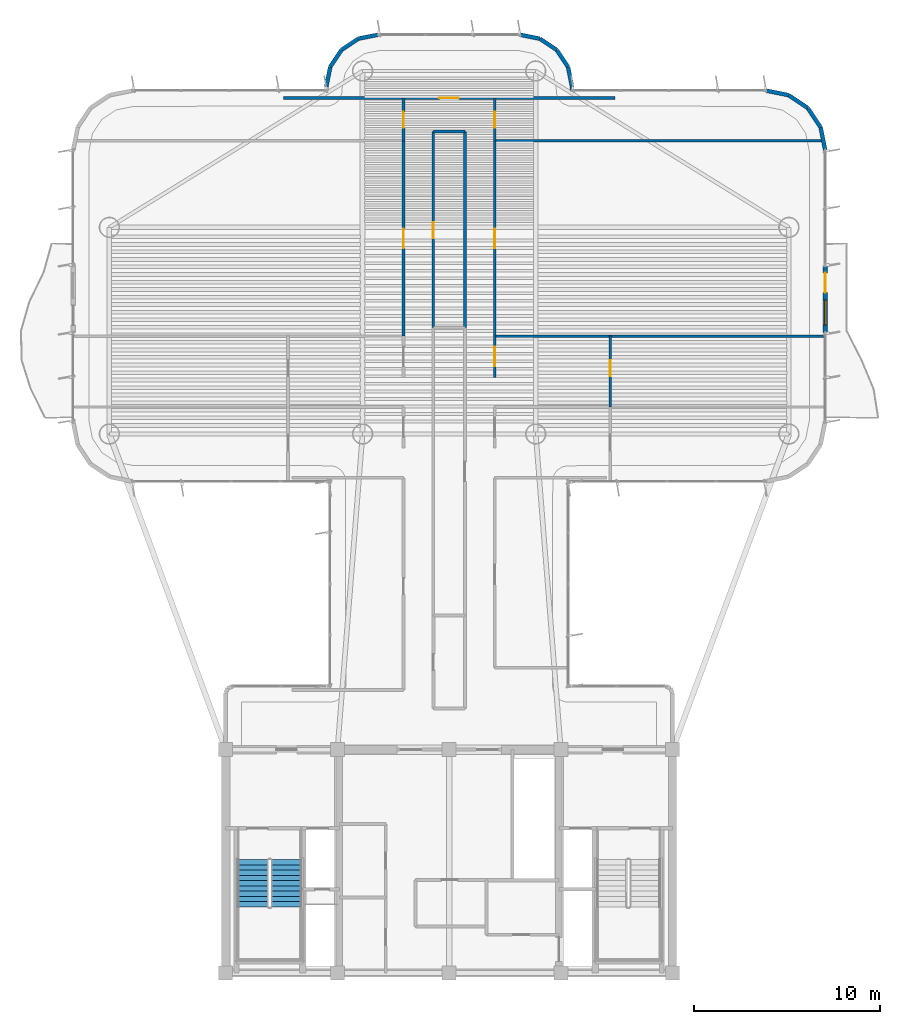
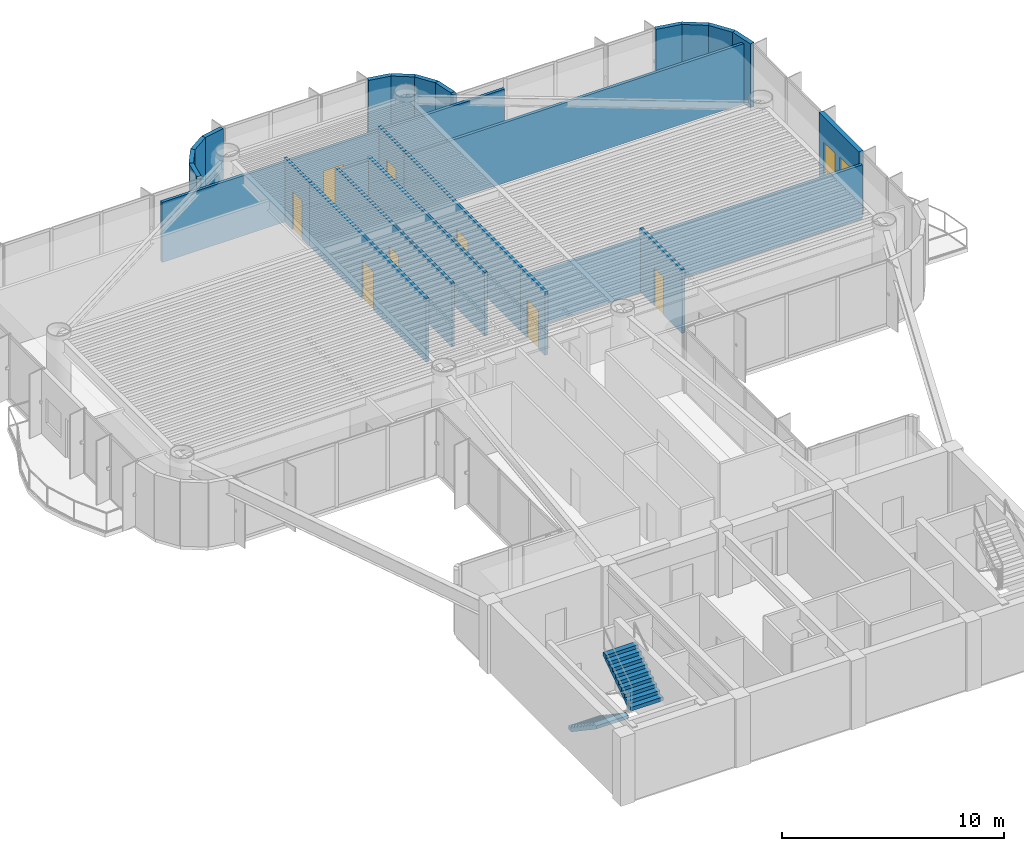
# One storey, part 11 of 14: 26 walls, 9 doors, 2 stair flights, 1 window, 10 openings, 1 element without a shape of its own.
"""IFC4 building model written with IfcOpenShell, lengths in metres."""

from ifc_helpers import new_model, si_unit, direction, frame, frame_2d, origin, origin_2d, place, context, subcontext, project, spatial, polyline, rectangle, outline, extrude, source, transform, mapped, material, layer, layer_set, type_object, element, fill, aggregate, save


model = new_model("IFC4")

# Units and contexts
model_context = context("Model", 3, precision=1e-05, world=origin(), true_north=direction((0.0, 1.0)))
body_context = subcontext(model_context, "Body", "Model", "MODEL_VIEW")
ifc_project = project(units=[si_unit("LENGTHUNIT", "METRE"), si_unit("AREAUNIT", "SQUARE_METRE"), si_unit("VOLUMEUNIT", "CUBIC_METRE"), si_unit("PLANEANGLEUNIT", "RADIAN"), si_unit("MASSUNIT", "GRAM", prefix="KILO")], contexts=[model_context])

# Site, building, storey
site_placement = place(None, origin())
site = spatial("IfcSite", under=ifc_project, at=site_placement, CompositionType="ELEMENT")
building_placement = place(site_placement, origin())
building = spatial("IfcBuilding", under=site, at=building_placement, Name="Brelvock Crest Care Tower", CompositionType="ELEMENT")
storey_placement = place(building_placement, frame((0.0, 0.0, 182.8798828125)))
storey = spatial("IfcBuildingStorey", under=building, at=storey_placement, Name="L46", CompositionType="ELEMENT", Elevation=182.8798828125)

# Wall, openings, door, window
ifc_material_1 = material(Name="Precast concrete N40 (40 MPa)", Category="concrete")
ifc_layer_1 = layer(ifc_material_1, 0.239990234375, Name="WL-EX1")
ifc_layer_set_1 = layer_set([ifc_layer_1], Name="Precast concrete N40 (40 MPa)")
wall_type_1 = type_object("IfcWallType", Name="WL-EX1", PredefinedType="SOLIDWALL", material=ifc_layer_set_1)
wall_1_placement = place(storey_placement, frame((56.199951171875, 44.0, 0.0), z_axis=(0.0, 0.0, 1.0), x_axis=(0.0, -1.0, 0.0)))
wall_1 = element("IfcWall", 1, at=wall_1_placement, inside=storey, type_object=wall_type_1, Name="L46 Exterior Spandrel Wall WL-BAL-L46-E", PredefinedType="SOLIDWALL", context=body_context, shape_type="SweptSolid", body=[
    extrude(rectangle(XDim=3.60009765625, YDim=0.239990234375, at=frame_2d((1.800048828125, 0.0))), origin(), (0.0, 0.0, 1.0), 3.530029296875),
])
opening_1_placement = place(wall_1_placement, frame((0.39990234375, 0.0, 0.0)))
opening_1 = element("IfcOpeningElement", 2, at=opening_1_placement, cuts=wall_1, Name="Opening BD-1", PredefinedType="OPENING", context=body_context, shape_type="SweptSolid", body=[
    extrude(rectangle(XDim=1.050048828125, YDim=2.14990234375, at=origin_2d()), frame((0.52490234375, 0.1298828125, 1.074951171875), z_axis=(0.0, -1.0, 0.0), x_axis=(1.0, 0.0, 0.0)), (0.0, 0.0, 1.0), 0.260009765625),
])
opening_2_placement = place(wall_1_placement, frame((1.85009765625, 0.0, 0.85009765625)))
opening_2 = element("IfcOpeningElement", 3, at=opening_2_placement, cuts=wall_1, Name="Opening W-01", PredefinedType="OPENING", context=body_context, shape_type="SweptSolid", body=[
    extrude(rectangle(XDim=1.35009765625, YDim=1.35009765625, at=origin_2d()), frame((0.675048828125, 0.1298828125, 0.675048828125), z_axis=(0.0, -1.0, 0.0), x_axis=(1.0, 0.0, 0.0)), (0.0, 0.0, 1.0), 0.260009765625),
])
ifc_material_2 = material(Name="Dark Glass Double Glazed Low-E", Category="glass")
door_type_1 = type_object("IfcDoorType", Name="DR-BAL1", OperationType="NOTDEFINED", PredefinedType="DOOR", material=ifc_material_2)
shared_shape_1 = source(origin(), body_context, "Body", "SweptSolid", [
    extrude(rectangle(XDim=1.050048828125, YDim=2.14990234375, at=origin_2d()), frame((0.52490234375, 0.02490234375, 1.074951171875), z_axis=(0.0, -1.0, 0.0), x_axis=(1.0, 0.0, 0.0)), (0.0, 0.0, 1.0), 0.050048828125),
])
door_1_placement = place(opening_1_placement, origin())
door_1 = element("IfcDoor", 4, at=door_1_placement, inside=storey, type_object=door_type_1, Name="L46 E Wave Balcony Glazed Door", OperationType="SINGLE_SWING_RIGHT", OverallHeight=2.14990234375, OverallWidth=1.050048828125, PredefinedType="DOOR", context=body_context, shape_type="MappedRepresentation", body=[
    mapped(shared_shape_1, transform((0.0, 0.0, 0.0), x_axis=(1.0, 0.0, 0.0), y_axis=(0.0, 1.0, 0.0), z_axis=(0.0, 0.0, 1.0), scale=1.0)),
])
fill(opening_1, door_1)
window_type = type_object("IfcWindowType", Name="WN-EX1", PartitioningType="SINGLE_PANEL", PredefinedType="WINDOW", material=ifc_material_2)
shared_shape_2 = source(origin(), body_context, "Body", "SweptSolid", [
    extrude(rectangle(XDim=1.35009765625, YDim=1.35009765625, at=origin_2d()), frame((0.675048828125, 0.030029296875, 0.675048828125), z_axis=(0.0, -1.0, 0.0), x_axis=(1.0, 0.0, 0.0)), (0.0, 0.0, 1.0), 0.06005859375),
])
window_placement = place(opening_2_placement, origin())
window = element("IfcWindow", 5, at=window_placement, inside=storey, type_object=window_type, Name="L46 E Suite Casement Window", OverallHeight=1.35009765625, OverallWidth=1.35009765625, PartitioningType="SINGLE_PANEL", PredefinedType="WINDOW", context=body_context, shape_type="MappedRepresentation", body=[
    mapped(shared_shape_2, transform((0.0, 0.0, 0.0), x_axis=(1.0, 0.0, 0.0), y_axis=(0.0, 1.0, 0.0), z_axis=(0.0, 0.0, 1.0), scale=1.0)),
])
fill(opening_2, window)

# Walls
ifc_layer_2 = layer(ifc_material_1, 0.215087890625, Name="WL-EX2")
ifc_layer_set_2 = layer_set([ifc_layer_2], Name="Precast concrete N40 (40 MPa)")
wall_type_2 = type_object("IfcWallType", Name="WL-EX2", PredefinedType="SOLIDWALL", material=ifc_layer_set_2)
wall_2_placement = place(storey_placement, frame((29.39990234375, 53.60009765625, 0.0), z_axis=(0.0, 0.0, 1.0), x_axis=(0.195127417394, 0.980777900945, 0.0)))
element("IfcWall", 6, at=wall_2_placement, inside=storey, type_object=wall_type_2, Name="L46 Rounded Corner Wall 24", PredefinedType="SOLIDWALL", context=body_context, shape_type="SweptSolid", body=[
    extrude(rectangle(XDim=1.09228515625, YDim=0.215087890625, at=frame_2d((0.546142578125, 0.0))), origin(), (0.0, 0.0, 1.0), 3.530029296875),
])
wall_3_placement = place(storey_placement, frame((29.613037109375, 54.67138671875, 0.0), z_axis=(0.0, 0.0, 1.0), x_axis=(0.555679482341, 0.831396603857, 0.0)))
element("IfcWall", 7, at=wall_3_placement, inside=storey, type_object=wall_type_2, Name="L46 Rounded Corner Wall 25", PredefinedType="SOLIDWALL", context=body_context, shape_type="SweptSolid", body=[
    extrude(rectangle(XDim=1.0927734375, YDim=0.215087890625, at=frame_2d((0.54638671875, 0.0))), origin(), (0.0, 0.0, 1.0), 3.530029296875),
])
for number, where, z_axis, x_axis, name in (
    (8, (30.22021484375, 55.579833984375, 0.0), (0.0, 0.0, 1.0), (0.831327592857, 0.555782721353, 0.0), "L46 Rounded Corner Wall 26"),
    (9, (31.12841796875, 56.18701171875, 0.0), (0.0, 0.0, 1.0), (0.980829143587, 0.194869677195, 0.0), "L46 Rounded Corner Wall 27"),
    (10, (39.800048828125, 56.39990234375, 0.0), (0.0, 0.0, 1.0), (0.980829143587, -0.194869677195, 0.0), "L46 Rounded Corner Wall 29"),
    (11, (40.87158203125, 56.18701171875, 0.0), (0.0, 0.0, 1.0), (0.831327592857, -0.555782721353, 0.0), "L46 Rounded Corner Wall 30"),
):
    element("IfcWall", number, at=place(storey_placement, frame(where, z_axis=z_axis, x_axis=x_axis)), inside=storey, type_object=wall_type_2, Name=name, PredefinedType="SOLIDWALL", context=body_context, shape_type="SweptSolid", body=[
        extrude(rectangle(XDim=1.092529296875, YDim=0.215087890625, at=frame_2d((0.54638671875, 0.0))), origin(), (0.0, 0.0, 1.0), 3.530029296875),
    ])
wall_4_placement = place(storey_placement, frame((41.77978515625, 55.579833984375, 0.0), z_axis=(0.0, 0.0, 1.0), x_axis=(0.555679482341, -0.831396603857, 0.0)))
element("IfcWall", 12, at=wall_4_placement, inside=storey, type_object=wall_type_2, Name="L46 Rounded Corner Wall 31", PredefinedType="SOLIDWALL", context=body_context, shape_type="SweptSolid", body=[
    extrude(rectangle(XDim=1.0927734375, YDim=0.215087890625, at=frame_2d((0.54638671875, 0.0))), origin(), (0.0, 0.0, 1.0), 3.530029296875),
])
wall_5_placement = place(storey_placement, frame((42.386962890625, 54.67138671875, 0.0), z_axis=(0.0, 0.0, 1.0), x_axis=(0.195127417394, -0.980777900945, 0.0)))
element("IfcWall", 13, at=wall_5_placement, inside=storey, type_object=wall_type_2, Name="L46 Rounded Corner Wall 32", PredefinedType="SOLIDWALL", context=body_context, shape_type="SweptSolid", body=[
    extrude(rectangle(XDim=1.09228515625, YDim=0.215087890625, at=frame_2d((0.546142578125, 0.0))), origin(), (0.0, 0.0, 1.0), 3.530029296875),
])
wall_6_placement = place(storey_placement, frame((42.60009765625, 53.60009765625, 0.0), z_axis=(0.0, 0.0, 1.0), x_axis=(0.0, -1.0, 0.0)))
element("IfcWall", 14, at=wall_6_placement, inside=storey, type_object=wall_type_2, Name="L46 Rounded Corner Wall 33", PredefinedType="SOLIDWALL", context=body_context, shape_type="SweptSolid", body=[
    extrude(rectangle(XDim=0.2001953125, YDim=0.215087890625, at=frame_2d((0.10009765625, 0.0))), origin(), (0.0, 0.0, 1.0), 3.530029296875),
])
for number, where, z_axis, x_axis, name in (
    (15, (53.0, 53.39990234375, 0.0), (0.0, 0.0, 1.0), (0.980813122964, -0.194950295773, 0.0), "L46 Rounded Corner Wall 35"),
    (16, (54.224609375, 53.156494140625, 0.0), (0.0, 0.0, 1.0), (0.831387912822, -0.555692485475, 0.0), "L46 Rounded Corner Wall 36"),
    (17, (55.2626953125, 52.462646484375, 0.0), (0.0, 0.0, 1.0), (0.555557312883, -0.831478245117, 0.0), "L46 Rounded Corner Wall 37"),
    (18, (55.956298828125, 51.424560546875, 0.0), (0.0, 0.0, 1.0), (0.195138390419, -0.980775717779, 0.0), "L46 Rounded Corner Wall 38"),
):
    element("IfcWall", number, at=place(storey_placement, frame(where, z_axis=z_axis, x_axis=x_axis)), inside=storey, type_object=wall_type_2, Name=name, PredefinedType="SOLIDWALL", context=body_context, shape_type="SweptSolid", body=[
        extrude(rectangle(XDim=1.24853515625, YDim=0.215087890625, at=frame_2d((0.624267578125, 0.0))), origin(), (0.0, 0.0, 1.0), 3.530029296875),
    ])
ifc_material_3 = material(Name="Masonry Blockwork Acoustic Partition", Category="masonry")
ifc_layer_3 = layer(ifc_material_3, 0.14990234375, Name="WL-INT1")
ifc_layer_set_3 = layer_set([ifc_layer_3], Name="Masonry Blockwork Acoustic Partition")
wall_type_3 = type_object("IfcWallType", Name="WL-INT1", PredefinedType="PARTITIONING", material=ifc_layer_set_3)
wall_7_placement = place(storey_placement, frame((38.449951171875, 40.201904296875, 0.0), z_axis=(0.0, 0.0, 1.0), x_axis=(1.0, 0.0, 0.0)))
element("IfcWall", 19, at=wall_7_placement, inside=storey, type_object=wall_type_3, Name="L46 Interior Wall WL-BX-L46-ERC-S", PredefinedType="PARTITIONING", context=body_context, shape_type="SweptSolid", body=[
    extrude(rectangle(XDim=17.670166015625, YDim=0.14990234375, at=frame_2d((8.8349609375, 0.0))), origin(), (0.0, 0.0, 1.0), 2.982177734375),
])
wall_8_placement = place(storey_placement, frame((38.449951171875, 50.699951171875, 0.0), z_axis=(0.0, 0.0, 1.0), x_axis=(1.0, 0.0, 0.0)))
element("IfcWall", 20, at=wall_8_placement, inside=storey, type_object=wall_type_3, Name="L46 Interior Wall WL-BX-L46-ERC-N", PredefinedType="PARTITIONING", context=body_context, shape_type="SweptSolid", body=[
    extrude(rectangle(XDim=17.569091796875, YDim=0.14990234375, at=frame_2d((8.78466796875, 0.0))), origin(), (0.0, 0.0, 1.0), 3.30810546875),
])
wall_9_placement = place(storey_placement, frame((35.14990234375, 51.199951171875, 0.0), z_axis=(0.0, 0.0, 1.0), x_axis=(1.0, 0.0, 0.0)))
element("IfcWall", 21, at=wall_9_placement, inside=storey, type_object=wall_type_3, Name="L46 Interior Wall WL-BX-L46-ISKT-N", PredefinedType="PARTITIONING", context=body_context, shape_type="SweptSolid", body=[
    extrude(rectangle(XDim=1.7001953125, YDim=0.14990234375, at=frame_2d((0.85009765625, 0.0))), origin(), (0.0, 0.0, 1.0), 3.30810546875),
])

# Wall, opening, door
wall_10_placement = place(storey_placement, frame((27.10009765625, 53.0, 0.0), z_axis=(0.0, 0.0, 1.0), x_axis=(1.0, 0.0, 0.0)))
wall_10 = element("IfcWall", 22, at=wall_10_placement, inside=storey, type_object=wall_type_3, Name="L46 Interior Wall WL-RM-L46-NHUB", PredefinedType="PARTITIONING", context=body_context, shape_type="SweptSolid", body=[
    extrude(rectangle(XDim=17.7998046875, YDim=0.14990234375, at=frame_2d((8.89990234375, 0.0))), origin(), (0.0, 0.0, 1.0), 3.30810546875),
])
opening_3_placement = place(wall_10_placement, frame((8.375, 0.0, 0.0)))
opening_3 = element("IfcOpeningElement", 23, at=opening_3_placement, cuts=wall_10, Name="Opening CLD-1", PredefinedType="OPENING", context=body_context, shape_type="SweptSolid", body=[
    extrude(rectangle(XDim=1.050048828125, YDim=2.10009765625, at=origin_2d()), frame((0.52490234375, 0.0849609375, 1.050048828125), z_axis=(0.0, -1.0, 0.0), x_axis=(1.0, 0.0, 0.0)), (0.0, 0.0, 1.0), 0.169921875),
])
ifc_material_4 = material(Name="Engineered Hardwood Timber", Category="wood")
door_type_2 = type_object("IfcDoorType", Name="DR-CLN1", OperationType="NOTDEFINED", PredefinedType="DOOR", material=ifc_material_4)
shared_shape_3 = source(origin(), body_context, "Body", "SweptSolid", [
    extrude(rectangle(XDim=1.050048828125, YDim=2.10009765625, at=origin_2d()), frame((0.52490234375, 0.02490234375, 1.050048828125), z_axis=(0.0, -1.0, 0.0), x_axis=(1.0, 0.0, 0.0)), (0.0, 0.0, 1.0), 0.050048828125),
])
door_2_placement = place(opening_3_placement, origin())
door_2 = element("IfcDoor", 24, at=door_2_placement, inside=storey, type_object=door_type_2, Name="L46 North Crest Conservatory Lounge Door NHUB", OperationType="SINGLE_SWING_LEFT", OverallHeight=2.10009765625, OverallWidth=1.050048828125, PredefinedType="DOOR", context=body_context, shape_type="MappedRepresentation", body=[
    mapped(shared_shape_3, transform((0.0, 0.0, 0.0), x_axis=(1.0, 0.0, 0.0), y_axis=(0.0, 1.0, 0.0), z_axis=(0.0, 0.0, 1.0), scale=1.0)),
])
fill(opening_3, door_2)

wall_11_placement = place(storey_placement, frame((33.550048828125, 40.201904296875, 0.0), z_axis=(0.0, 0.0, 1.0), x_axis=(0.0, 1.0, 0.0)))
wall_11 = element("IfcWall", 25, at=wall_11_placement, inside=storey, type_object=wall_type_3, Name="L46 Interior Wall WL-RM-L46-WRC", PredefinedType="PARTITIONING", context=body_context, shape_type="SweptSolid", body=[
    extrude(rectangle(XDim=10.498046875, YDim=0.14990234375, at=frame_2d((5.2490234375, 0.0))), origin(), (0.0, 0.0, 1.0), 3.5),
])
opening_4_placement = place(wall_11_placement, frame((4.72412109375, 0.0, 0.0)))
opening_4 = element("IfcOpeningElement", 26, at=opening_4_placement, cuts=wall_11, Name="Opening CLD-1", PredefinedType="OPENING", context=body_context, shape_type="SweptSolid", body=[
    extrude(rectangle(XDim=1.050048828125, YDim=2.10009765625, at=origin_2d()), frame((0.52490234375, 0.0849609375, 1.050048828125), z_axis=(0.0, -1.0, 0.0), x_axis=(1.0, 0.0, 0.0)), (0.0, 0.0, 1.0), 0.169921875),
])
door_3_placement = place(opening_4_placement, origin())
door_3 = element("IfcDoor", 27, at=door_3_placement, inside=storey, type_object=door_type_2, Name="L46 Neurological Rehab Studio Door WRC", OperationType="SINGLE_SWING_LEFT", OverallHeight=2.10009765625, OverallWidth=1.050048828125, PredefinedType="DOOR", context=body_context, shape_type="MappedRepresentation", body=[
    mapped(shared_shape_3, transform((0.0, 0.0, 0.0), x_axis=(1.0, 0.0, 0.0), y_axis=(0.0, 1.0, 0.0), z_axis=(0.0, 0.0, 1.0), scale=1.0)),
])
fill(opening_4, door_3)

wall_12_placement = place(storey_placement, frame((33.550048828125, 50.699951171875, 0.0), z_axis=(0.0, 0.0, 1.0), x_axis=(0.0, 1.0, 0.0)))
wall_12 = element("IfcWall", 28, at=wall_12_placement, inside=storey, type_object=wall_type_3, Name="L46 Interior Wall WL-RM-L46-NALW", PredefinedType="PARTITIONING", context=body_context, shape_type="SweptSolid", body=[
    extrude(rectangle(XDim=2.300048828125, YDim=0.14990234375, at=frame_2d((1.14990234375, 0.0))), origin(), (0.0, 0.0, 1.0), 3.5),
])
opening_5_placement = place(wall_12_placement, frame((0.68994140625, 0.0, 0.0)))
opening_5 = element("IfcOpeningElement", 29, at=opening_5_placement, cuts=wall_12, Name="Opening ID-1", PredefinedType="OPENING", context=body_context, shape_type="SweptSolid", body=[
    extrude(rectangle(XDim=0.860107421875, YDim=2.10009765625, at=origin_2d()), frame((0.43017578125, 0.0849609375, 1.050048828125), z_axis=(0.0, -1.0, 0.0), x_axis=(1.0, 0.0, 0.0)), (0.0, 0.0, 1.0), 0.169921875),
])
door_type_3 = type_object("IfcDoorType", Name="DR-INT1", OperationType="NOTDEFINED", PredefinedType="DOOR", material=ifc_material_4)
shared_shape_4 = source(origin(), body_context, "Body", "SweptSolid", [
    extrude(rectangle(XDim=0.860107421875, YDim=2.10009765625, at=origin_2d()), frame((0.43017578125, 0.02490234375, 1.050048828125), z_axis=(0.0, -1.0, 0.0), x_axis=(1.0, 0.0, 0.0)), (0.0, 0.0, 1.0), 0.050048828125),
])
door_4_placement = place(opening_5_placement, origin())
door_4 = element("IfcDoor", 30, at=door_4_placement, inside=storey, type_object=door_type_3, Name="L46 North West Sun Alcove Door NALW", OperationType="SINGLE_SWING_LEFT", OverallHeight=2.10009765625, OverallWidth=0.860107421875, PredefinedType="DOOR", context=body_context, shape_type="MappedRepresentation", body=[
    mapped(shared_shape_4, transform((0.0, 0.0, 0.0), x_axis=(1.0, 0.0, 0.0), y_axis=(0.0, 1.0, 0.0), z_axis=(0.0, 0.0, 1.0), scale=1.0)),
])
fill(opening_5, door_4)

wall_13_placement = place(storey_placement, frame((35.14990234375, 40.659912109375, 0.0), z_axis=(0.0, 0.0, 1.0), x_axis=(0.0, 1.0, 0.0)))
wall_13 = element("IfcWall", 31, at=wall_13_placement, inside=storey, type_object=wall_type_3, Name="L46 Interior Wall WL-RM-L46-ISKT", PredefinedType="PARTITIONING", context=body_context, shape_type="SweptSolid", body=[
    extrude(rectangle(XDim=10.5400390625, YDim=0.14990234375, at=frame_2d((5.27001953125, 0.0))), origin(), (0.0, 0.0, 1.0), 3.5),
])
opening_6_placement = place(wall_13_placement, frame((4.81005859375, 0.0, 0.0)))
opening_6 = element("IfcOpeningElement", 32, at=opening_6_placement, cuts=wall_13, Name="Opening ID-1", PredefinedType="OPENING", context=body_context, shape_type="SweptSolid", body=[
    extrude(rectangle(XDim=0.860107421875, YDim=2.10009765625, at=origin_2d()), frame((0.43017578125, 0.0849609375, 1.050048828125), z_axis=(0.0, -1.0, 0.0), x_axis=(1.0, 0.0, 0.0)), (0.0, 0.0, 1.0), 0.169921875),
])
door_5_placement = place(opening_6_placement, origin())
door_5 = element("IfcDoor", 33, at=door_5_placement, inside=storey, type_object=door_type_3, Name="L46 Communal Tea and Nutrition Pantry Door ISKT", OperationType="SINGLE_SWING_LEFT", OverallHeight=2.10009765625, OverallWidth=0.860107421875, PredefinedType="DOOR", context=body_context, shape_type="MappedRepresentation", body=[
    mapped(shared_shape_4, transform((0.0, 0.0, 0.0), x_axis=(1.0, 0.0, 0.0), y_axis=(0.0, 1.0, 0.0), z_axis=(0.0, 0.0, 1.0), scale=1.0)),
])
fill(opening_6, door_5)

# Wall
wall_14_placement = place(storey_placement, frame((36.85009765625, 40.659912109375, 0.0), z_axis=(0.0, 0.0, 1.0), x_axis=(0.0, 1.0, 0.0)))
element("IfcWall", 34, at=wall_14_placement, inside=storey, type_object=wall_type_3, Name="L46 Interior Wall WL-BX-L46-ISKT-E", PredefinedType="PARTITIONING", context=body_context, shape_type="SweptSolid", body=[
    extrude(rectangle(XDim=10.5400390625, YDim=0.14990234375, at=frame_2d((5.27001953125, 0.0))), origin(), (0.0, 0.0, 1.0), 3.5),
])

# Wall, opening, door
wall_15_placement = place(storey_placement, frame((38.449951171875, 37.9970703125, 0.0), z_axis=(0.0, 0.0, 1.0), x_axis=(0.0, 1.0, 0.0)))
wall_15 = element("IfcWall", 35, at=wall_15_placement, inside=storey, type_object=wall_type_3, Name="L46 Interior Wall WL-CENT-L46-ER1B", PredefinedType="PARTITIONING", context=body_context, shape_type="SweptSolid", body=[
    extrude(rectangle(XDim=2.204833984375, YDim=0.14990234375, at=frame_2d((1.1025390625, 0.0))), origin(), (0.0, 0.0, 1.0), 3.5),
])
opening_7_placement = place(wall_15_placement, frame((0.58203125, 0.0, 0.0)))
opening_7 = element("IfcOpeningElement", 36, at=opening_7_placement, cuts=wall_15, Name="Opening CD-1", PredefinedType="OPENING", context=body_context, shape_type="SweptSolid", body=[
    extrude(rectangle(XDim=1.050048828125, YDim=2.10009765625, at=origin_2d()), frame((0.52490234375, 0.0849609375, 1.050048828125), z_axis=(0.0, -1.0, 0.0), x_axis=(1.0, 0.0, 0.0)), (0.0, 0.0, 1.0), 0.169921875),
])
door_type_4 = type_object("IfcDoorType", Name="DR-CARE1", OperationType="NOTDEFINED", PredefinedType="DOOR", material=ifc_material_4)
shared_shape_5 = source(origin(), body_context, "Body", "SweptSolid", [
    extrude(rectangle(XDim=1.050048828125, YDim=2.10009765625, at=origin_2d()), frame((0.52490234375, 0.02490234375, 1.050048828125), z_axis=(0.0, -1.0, 0.0), x_axis=(1.0, 0.0, 0.0)), (0.0, 0.0, 1.0), 0.050048828125),
])
door_6_placement = place(opening_7_placement, origin())
door_6 = element("IfcDoor", 37, at=door_6_placement, inside=storey, type_object=door_type_4, Name="L46 Care Suite Door ER1B", OperationType="SINGLE_SWING_LEFT", OverallHeight=2.10009765625, OverallWidth=1.050048828125, PredefinedType="DOOR", context=body_context, shape_type="MappedRepresentation", body=[
    mapped(shared_shape_5, transform((0.0, 0.0, 0.0), x_axis=(1.0, 0.0, 0.0), y_axis=(0.0, 1.0, 0.0), z_axis=(0.0, 0.0, 1.0), scale=1.0)),
])
fill(opening_7, door_6)

wall_16_placement = place(storey_placement, frame((38.449951171875, 40.201904296875, 0.0), z_axis=(0.0, 0.0, 1.0), x_axis=(0.0, 1.0, 0.0)))
wall_16 = element("IfcWall", 38, at=wall_16_placement, inside=storey, type_object=wall_type_3, Name="L46 Interior Wall WL-RM-L46-ERC", PredefinedType="PARTITIONING", context=body_context, shape_type="SweptSolid", body=[
    extrude(rectangle(XDim=10.498046875, YDim=0.14990234375, at=frame_2d((5.2490234375, 0.0))), origin(), (0.0, 0.0, 1.0), 3.5),
])
opening_8_placement = place(wall_16_placement, frame((4.72412109375, 0.0, 0.0)))
opening_8 = element("IfcOpeningElement", 39, at=opening_8_placement, cuts=wall_16, Name="Opening CLD-1", PredefinedType="OPENING", context=body_context, shape_type="SweptSolid", body=[
    extrude(rectangle(XDim=1.050048828125, YDim=2.10009765625, at=origin_2d()), frame((0.52490234375, 0.0849609375, 1.050048828125), z_axis=(0.0, -1.0, 0.0), x_axis=(1.0, 0.0, 0.0)), (0.0, 0.0, 1.0), 0.169921875),
])
door_7_placement = place(opening_8_placement, origin())
door_7 = element("IfcDoor", 40, at=door_7_placement, inside=storey, type_object=door_type_2, Name="L46 Cardiopulmonary Rehab Suite Door ERC", OperationType="SINGLE_SWING_LEFT", OverallHeight=2.10009765625, OverallWidth=1.050048828125, PredefinedType="DOOR", context=body_context, shape_type="MappedRepresentation", body=[
    mapped(shared_shape_3, transform((0.0, 0.0, 0.0), x_axis=(1.0, 0.0, 0.0), y_axis=(0.0, 1.0, 0.0), z_axis=(0.0, 0.0, 1.0), scale=1.0)),
])
fill(opening_8, door_7)

wall_17_placement = place(storey_placement, frame((38.449951171875, 50.699951171875, 0.0), z_axis=(0.0, 0.0, 1.0), x_axis=(0.0, 1.0, 0.0)))
wall_17 = element("IfcWall", 41, at=wall_17_placement, inside=storey, type_object=wall_type_3, Name="L46 Interior Wall WL-RM-L46-NALE", PredefinedType="PARTITIONING", context=body_context, shape_type="SweptSolid", body=[
    extrude(rectangle(XDim=2.300048828125, YDim=0.14990234375, at=frame_2d((1.14990234375, 0.0))), origin(), (0.0, 0.0, 1.0), 3.5),
])
opening_9_placement = place(wall_17_placement, frame((0.68994140625, 0.0, 0.0)))
opening_9 = element("IfcOpeningElement", 42, at=opening_9_placement, cuts=wall_17, Name="Opening ID-1", PredefinedType="OPENING", context=body_context, shape_type="SweptSolid", body=[
    extrude(rectangle(XDim=0.860107421875, YDim=2.10009765625, at=origin_2d()), frame((0.43017578125, 0.0849609375, 1.050048828125), z_axis=(0.0, -1.0, 0.0), x_axis=(1.0, 0.0, 0.0)), (0.0, 0.0, 1.0), 0.169921875),
])
door_8_placement = place(opening_9_placement, origin())
door_8 = element("IfcDoor", 43, at=door_8_placement, inside=storey, type_object=door_type_3, Name="L46 North East Tea Alcove Door NALE", OperationType="SINGLE_SWING_LEFT", OverallHeight=2.10009765625, OverallWidth=0.860107421875, PredefinedType="DOOR", context=body_context, shape_type="MappedRepresentation", body=[
    mapped(shared_shape_4, transform((0.0, 0.0, 0.0), x_axis=(1.0, 0.0, 0.0), y_axis=(0.0, 1.0, 0.0), z_axis=(0.0, 0.0, 1.0), scale=1.0)),
])
fill(opening_9, door_8)

wall_18_placement = place(storey_placement, frame((44.64990234375, 36.40087890625, 0.0), z_axis=(0.0, 0.0, 1.0), x_axis=(0.0, 1.0, 0.0)))
wall_18 = element("IfcWall", 44, at=wall_18_placement, inside=storey, type_object=wall_type_3, Name="L46 Interior Wall WL-RM-L46-ER1BS", PredefinedType="PARTITIONING", context=body_context, shape_type="SweptSolid", body=[
    extrude(rectangle(XDim=3.801025390625, YDim=0.14990234375, at=frame_2d((1.900390625, 0.0))), origin(), (0.0, 0.0, 1.0), 3.5),
])
opening_10_placement = place(wall_18_placement, frame((1.638916015625, 0.0, 0.0)))
opening_10 = element("IfcOpeningElement", 45, at=opening_10_placement, cuts=wall_18, Name="Opening ID-1", PredefinedType="OPENING", context=body_context, shape_type="SweptSolid", body=[
    extrude(rectangle(XDim=0.860107421875, YDim=2.10009765625, at=origin_2d()), frame((0.43017578125, 0.0849609375, 1.050048828125), z_axis=(0.0, -1.0, 0.0), x_axis=(1.0, 0.0, 0.0)), (0.0, 0.0, 1.0), 0.169921875),
])
door_9_placement = place(opening_10_placement, origin())
door_9 = element("IfcDoor", 46, at=door_9_placement, inside=storey, type_object=door_type_3, Name="L46 Rehab Recovery Mobility Store Door ER1BS", OperationType="SINGLE_SWING_LEFT", OverallHeight=2.10009765625, OverallWidth=0.860107421875, PredefinedType="DOOR", context=body_context, shape_type="MappedRepresentation", body=[
    mapped(shared_shape_4, transform((0.0, 0.0, 0.0), x_axis=(1.0, 0.0, 0.0), y_axis=(0.0, 1.0, 0.0), z_axis=(0.0, 0.0, 1.0), scale=1.0)),
])
fill(opening_10, door_9)

# Stair, stair flights
ifc_material_5 = material(Name="Concrete N40 (40 MPa)", Category="concrete")
stair_type = type_object("IfcStairType", Name="ST-CORE1", PredefinedType="HALF_TURN_STAIR", material=ifc_material_5)
stair_placement = place(storey_placement, origin())
stair = element("IfcStair", 47, at=stair_placement, inside=storey, type_object=stair_type, Name="L46 Fire-Isolated Core Stair ST-1", PredefinedType="HALF_TURN_STAIR")
stair_flight_type = type_object("IfcStairFlightType", Name="STF-1", PredefinedType="STRAIGHT", material=ifc_material_5)
stair_flight_1_placement = place(storey_placement, frame((25.469970703125, 12.080078125, 0.0), z_axis=(0.0, 0.0, 1.0), x_axis=(0.0, -1.0, 0.0)))
stair_flight_1 = element("IfcStairFlight", 48, at=stair_flight_1_placement, type_object=stair_flight_type, Name="ST-1 flight 1", NumberOfRisers=10, NumberOfTreads=9, PredefinedType="STRAIGHT", RiserHeight=0.189, TreadLength=0.28, context=body_context, shape_type="SweptSolid", body=[
    extrude(outline(polyline([(-0.00390625, -0.014892578125), (-0.00390625, -0.0078125), (-0.00390625, -0.00048828125), (-0.00390625, 0.0068359375), (-0.00390625, 0.01416015625), (-0.00390625, 0.021484375), (-0.00390625, 0.02880859375), (-0.00390625, 0.035888671875), (-0.00390625, 0.043212890625), (-0.00390625, 0.050537109375), (-0.00390625, 0.057861328125), (-0.00390625, 0.065185546875), (-0.00390625, 0.072509765625), (-0.00390625, 0.07958984375), (-0.00390625, 0.0869140625), (-0.00390625, 0.09423828125), (-0.00390625, 0.1015625), (-0.00390625, 0.10888671875), (-0.00390625, 0.1162109375), (-0.00390625, 0.12353515625), (-0.00390625, 0.130615234375), (-0.00390625, 0.137939453125), (-0.00390625, 0.145263671875), (-0.00390625, 0.152587890625), (-0.00390625, 0.159912109375), (-0.00390625, 0.167236328125), (-0.00390625, 0.17431640625), (-0.00390625, 0.181640625), (-0.00390625, 0.18896484375), (0.0, 0.18896484375), (0.280029296875, 0.18896484375), (0.280029296875, 0.3779296875), (0.56005859375, 0.3779296875), (0.56005859375, 0.56689453125), (0.840087890625, 0.56689453125), (0.840087890625, 0.756103515625), (1.1201171875, 0.756103515625), (1.1201171875, 0.945068359375), (1.39990234375, 0.945068359375), (1.39990234375, 1.134033203125), (1.679931640625, 1.134033203125), (1.679931640625, 1.322998046875), (1.9599609375, 1.322998046875), (1.9599609375, 1.511962890625), (2.239990234375, 1.511962890625), (2.239990234375, 1.700927734375), (2.52001953125, 1.700927734375), (2.52392578125, 1.700927734375), (2.523681640625, 1.70068359375), (2.52392578125, 1.700439453125), (2.523681640625, 1.699951171875), (2.52392578125, 1.69970703125), (2.523681640625, 1.699462890625), (2.52392578125, 1.698974609375), (2.523681640625, 1.69873046875), (2.52392578125, 1.698486328125), (2.523681640625, 1.697998046875), (2.52392578125, 1.69775390625), (2.523681640625, 1.697509765625), (2.52392578125, 1.697021484375), (2.523681640625, 1.69677734375), (2.52392578125, 1.696533203125), (2.523681640625, 1.6962890625), (2.52392578125, 1.69580078125), (2.523681640625, 1.695556640625), (2.52392578125, 1.6953125), (2.523681640625, 1.69482421875), (2.52392578125, 1.694580078125), (2.523681640625, 1.6943359375), (2.52392578125, 1.69384765625), (2.523681640625, 1.693603515625), (2.52392578125, 1.693359375), (2.523681640625, 1.69287109375), (2.52392578125, 1.692626953125), (2.523681640625, 1.6923828125), (2.52392578125, 1.69189453125), (2.52001953125, 1.520263671875), (0.267822265625, 0.0), (0.0, 0.0), (0.0, -0.014892578125), (-0.00390625, -0.014892578125)])), frame((0.0, 0.83984375, 0.0), z_axis=(0.0, -1.0, 0.0), x_axis=(1.0, 0.0, 0.0)), (0.0, 0.0, 1.0), 1.679931640625),
])
stair_flight_2_placement = place(storey_placement, frame((27.27001953125, 9.56005859375, 1.89013671875), z_axis=(0.0, 0.0, 1.0), x_axis=(0.0, 1.0, 0.0)))
stair_flight_2 = element("IfcStairFlight", 49, at=stair_flight_2_placement, type_object=stair_flight_type, Name="ST-1 flight 2", NumberOfRisers=10, NumberOfTreads=9, PredefinedType="STRAIGHT", RiserHeight=0.189, TreadLength=0.28, context=body_context, shape_type="SweptSolid", body=[
    extrude(outline(polyline([(-0.00390625, -0.014892578125), (-0.00390625, -0.0078125), (-0.00390625, -0.00048828125), (-0.00390625, 0.0068359375), (-0.00390625, 0.01416015625), (-0.00390625, 0.021484375), (-0.00390625, 0.02880859375), (-0.00390625, 0.035888671875), (-0.00390625, 0.043212890625), (-0.00390625, 0.050537109375), (-0.00390625, 0.057861328125), (-0.00390625, 0.065185546875), (-0.00390625, 0.072509765625), (-0.00390625, 0.07958984375), (-0.00390625, 0.0869140625), (-0.00390625, 0.09423828125), (-0.00390625, 0.1015625), (-0.00390625, 0.10888671875), (-0.00390625, 0.1162109375), (-0.00390625, 0.12353515625), (-0.00390625, 0.130615234375), (-0.00390625, 0.137939453125), (-0.00390625, 0.145263671875), (-0.00390625, 0.152587890625), (-0.00390625, 0.159912109375), (-0.00390625, 0.167236328125), (-0.00390625, 0.17431640625), (-0.00390625, 0.181640625), (-0.00390625, 0.18896484375), (0.0, 0.18896484375), (0.280029296875, 0.18896484375), (0.280029296875, 0.3779296875), (0.56005859375, 0.3779296875), (0.56005859375, 0.56689453125), (0.840087890625, 0.56689453125), (0.840087890625, 0.756103515625), (1.1201171875, 0.756103515625), (1.1201171875, 0.945068359375), (1.39990234375, 0.945068359375), (1.39990234375, 1.134033203125), (1.679931640625, 1.134033203125), (1.679931640625, 1.322998046875), (1.9599609375, 1.322998046875), (1.9599609375, 1.511962890625), (2.239990234375, 1.511962890625), (2.239990234375, 1.700927734375), (2.52001953125, 1.700927734375), (2.52392578125, 1.700927734375), (2.523681640625, 1.70068359375), (2.52392578125, 1.700439453125), (2.523681640625, 1.699951171875), (2.52392578125, 1.69970703125), (2.523681640625, 1.699462890625), (2.52392578125, 1.698974609375), (2.523681640625, 1.69873046875), (2.52392578125, 1.698486328125), (2.523681640625, 1.697998046875), (2.52392578125, 1.69775390625), (2.523681640625, 1.697509765625), (2.52392578125, 1.697021484375), (2.523681640625, 1.69677734375), (2.52392578125, 1.696533203125), (2.523681640625, 1.6962890625), (2.52392578125, 1.69580078125), (2.523681640625, 1.695556640625), (2.52392578125, 1.6953125), (2.523681640625, 1.69482421875), (2.52392578125, 1.694580078125), (2.523681640625, 1.6943359375), (2.52392578125, 1.69384765625), (2.523681640625, 1.693603515625), (2.52392578125, 1.693359375), (2.523681640625, 1.69287109375), (2.52392578125, 1.692626953125), (2.523681640625, 1.6923828125), (2.52392578125, 1.69189453125), (2.52001953125, 1.520263671875), (0.267822265625, 0.0), (0.0, 0.0), (0.0, -0.014892578125), (-0.00390625, -0.014892578125)])), frame((0.0, 0.83984375, 0.0), z_axis=(0.0, -1.0, 0.0), x_axis=(1.0, 0.0, 0.0)), (0.0, 0.0, 1.0), 1.679931640625),
])
aggregate(stair, [stair_flight_1, stair_flight_2])

save(model, "model.ifc")
